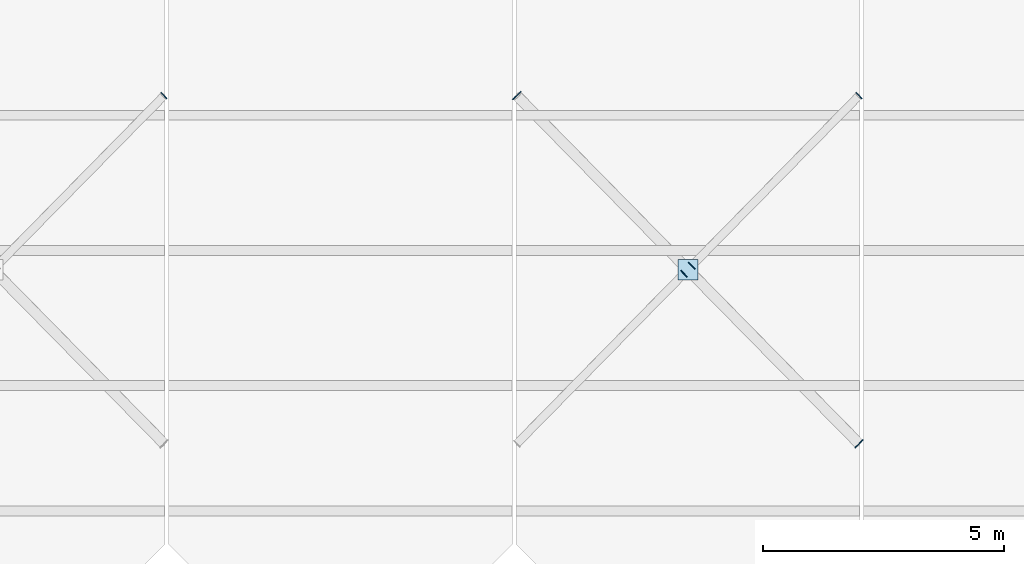
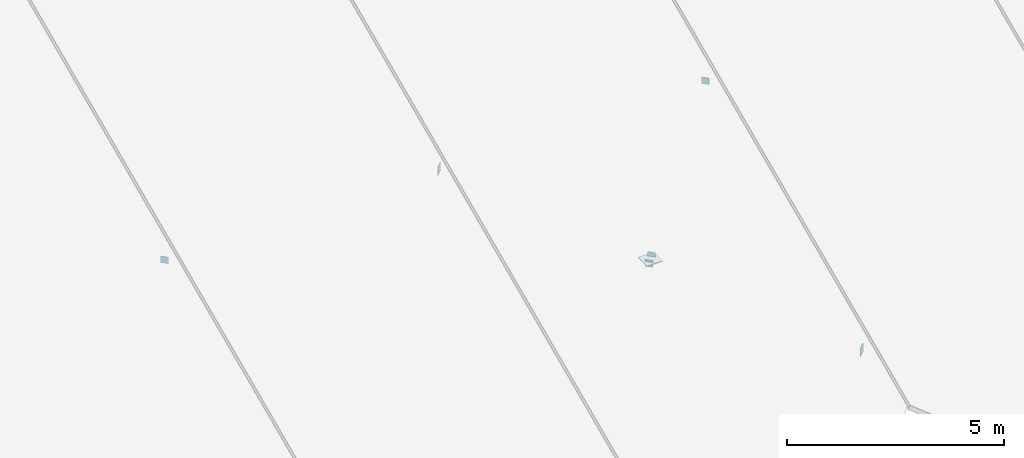
# One storey, part 35 of 54: 7 plates.
"""IFC4 building model written with IfcOpenShell, lengths in metres."""

from ifc_helpers import new_model, si_unit, direction, frame, origin, origin_2d, place, context, subcontext, project, spatial, rectangle, extrude, material, layer, layer_set, type_object, element, save


model = new_model("IFC4")

# Units and contexts
model_context = context("Model", 3, precision=1e-05, world=origin(), true_north=direction((0.0, 1.0)))
body_context = subcontext(model_context, "Body", "Model", "MODEL_VIEW")
ifc_project = project(units=[si_unit("LENGTHUNIT", "METRE"), si_unit("AREAUNIT", "SQUARE_METRE"), si_unit("VOLUMEUNIT", "CUBIC_METRE"), si_unit("PLANEANGLEUNIT", "RADIAN"), si_unit("MASSUNIT", "GRAM", prefix="KILO")], contexts=[model_context])

# Site, building, storey
site_placement = place(None, origin())
site = spatial("IfcSite", under=ifc_project, at=site_placement, CompositionType="ELEMENT")
building_placement = place(site_placement, origin())
building = spatial("IfcBuilding", under=site, at=building_placement, Name="Koriwan Promenade Central Fire Station", CompositionType="ELEMENT")
storey_placement = place(building_placement, frame((0.0, 0.0, 9.60009765625)))
storey = spatial("IfcBuildingStorey", under=building, at=storey_placement, Name="L02", CompositionType="ELEMENT", Elevation=9.60009765625)

# Plates
ifc_material = material(Name="Steel ASTM A572 Grade 50", Category="steel")
ifc_layer_1 = layer(ifc_material, 0.01611328125, Name="Steel ASTM A572 Grade 50")
ifc_layer_set_1 = layer_set([ifc_layer_1], Name="Steel ASTM A572 Grade 50")
plate_type_1 = type_object("IfcPlateType", Name="EndCap_CHS168", PredefinedType="SHEET", material=ifc_layer_set_1)
for number, where, z_axis, x_axis, name in (
    (1, (86.34521484375, 54.00537109375, 4.08984375), (0.0, 0.0, 1.0), (0.701158192968, 0.713005742217, 0.0), "V1 roof wind brace 4A north half end cap 2"),
    (2, (97.118408203125, 50.31689453125, 2.450439453125), (0.0, 0.0, 1.0), (0.701158192968, 0.713005742217, 0.0), "V1 roof wind brace 6A south half end cap 2"),
    (3, (97.281494140625, 50.48291015625, 2.524169921875), (0.0, 0.0, 1.0), (0.701158192968, 0.713005742217, 0.0), "V1 roof wind brace 6A north half end cap 1"),
    (4, (100.745361328125, 54.00537109375, 4.08984375), (0.0, 0.0, 1.0), (0.701158192968, 0.713005742217, 0.0), "V1 roof wind brace 6A north half end cap 2"),
):
    element("IfcPlate", number, at=place(storey_placement, frame(where, z_axis=z_axis, x_axis=x_axis)), inside=storey, type_object=plate_type_1, Name=name, PredefinedType="SHEET", context=body_context, shape_type="SweptSolid", body=[
        extrude(rectangle(XDim=0.01611328125, YDim=0.18505859375, at=origin_2d()), origin(), (0.0, 0.0, 1.0), 0.18505859375),
    ])
ifc_layer_2 = layer(ifc_material, 0.01806640625, Name="Steel ASTM A572 Grade 50")
ifc_layer_set_2 = layer_set([ifc_layer_2], Name="Steel ASTM A572 Grade 50")
plate_type_2 = type_object("IfcPlateType", Name="EndCap_CHS219", PredefinedType="SHEET", material=ifc_layer_set_2)
for number, where, z_axis, x_axis, name in (
    (5, (93.654052734375, 54.006103515625, 4.06494140625), (0.0, 0.0, 1.0), (0.701158192968, -0.713005742217, 0.0), "V1 roof wind brace 6B end cap 1"),
    (6, (100.74609375, 46.7939453125, 0.85986328125), (0.0, 0.0, 1.0), (0.701158192968, -0.713005742217, 0.0), "V1 roof wind brace 6B end cap 2"),
):
    element("IfcPlate", number, at=place(storey_placement, frame(where, z_axis=z_axis, x_axis=x_axis)), inside=storey, type_object=plate_type_2, Name=name, PredefinedType="SHEET", context=body_context, shape_type="SweptSolid", body=[
        extrude(rectangle(XDim=0.01806640625, YDim=0.235107421875, at=origin_2d()), origin(), (0.0, 0.0, 1.0), 0.235107421875),
    ])
ifc_layer_3 = layer(ifc_material, 0.02197265625, Name="Steel ASTM A572 Grade 50")
ifc_layer_set_3 = layer_set([ifc_layer_3], Name="Steel ASTM A572 Grade 50")
plate_type_3 = type_object("IfcPlateType", Name="NodeGusset_XBrace", PredefinedType="SHEET", material=ifc_layer_set_3)
plate_placement = place(storey_placement, frame((97.199951171875, 50.39990234375, 2.56884765625), z_axis=(0.0, 0.0, 1.0), x_axis=(1.0, 0.0, 0.0)))
element("IfcPlate", 7, at=plate_placement, inside=storey, type_object=plate_type_3, Name="V1 roof X-brace crossing gusset 6 XB-G1", PredefinedType="SHEET", context=body_context, shape_type="SweptSolid", body=[
    extrude(rectangle(XDim=0.419921875, YDim=0.419921875, at=origin_2d()), origin(), (0.0, 0.0, 1.0), 0.02197265625),
])

save(model, "model.ifc")
